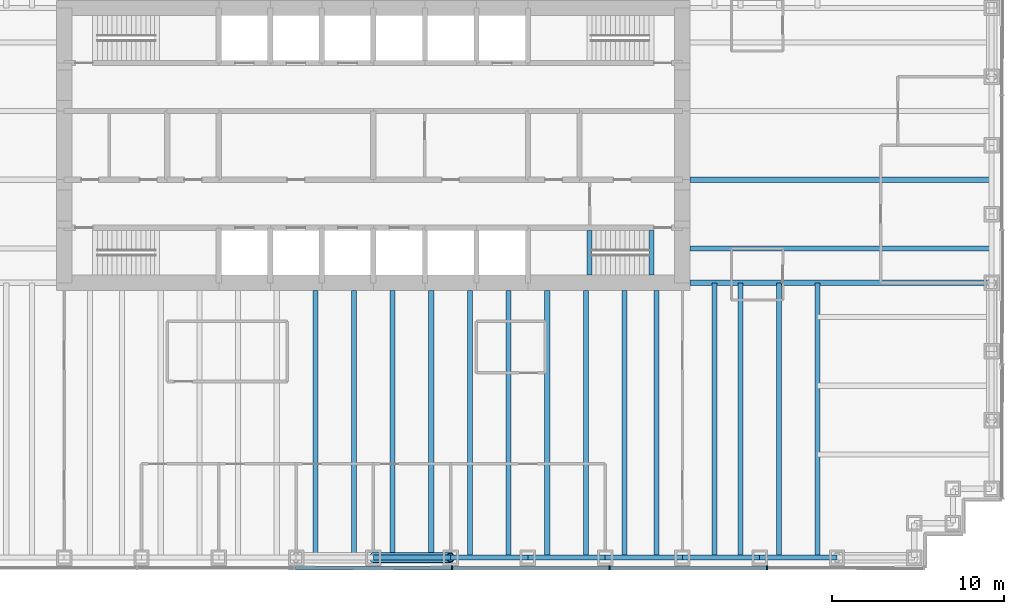
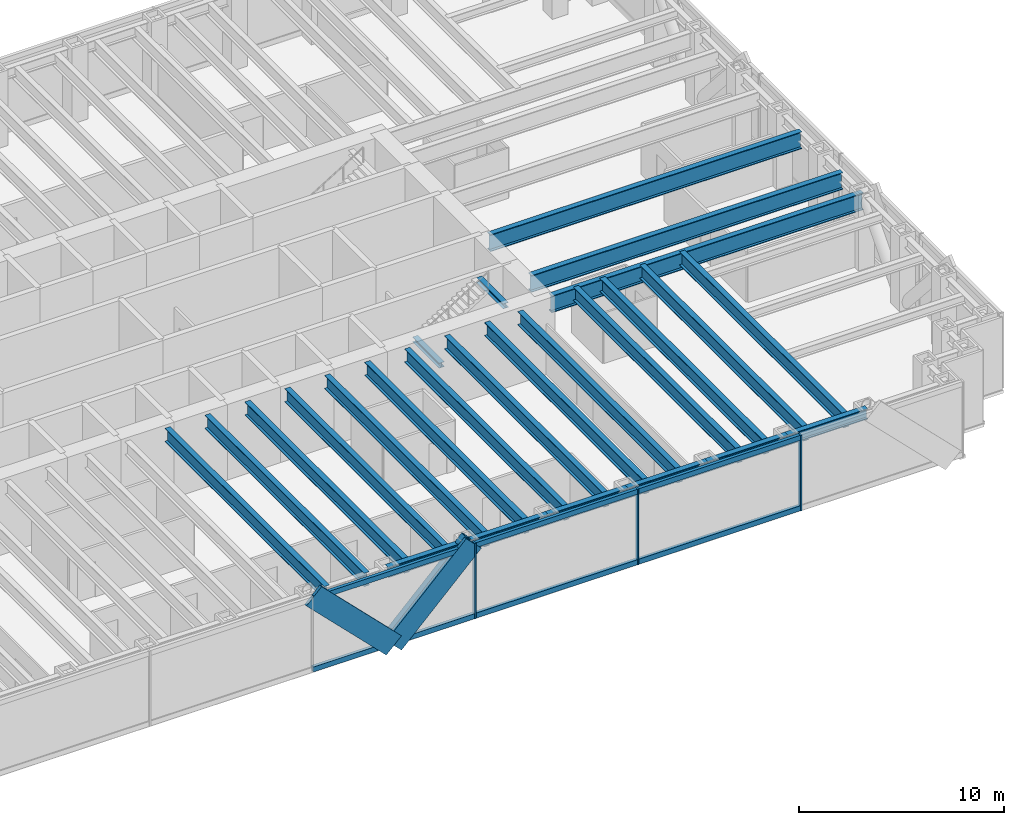
# One storey, part 3 of 13: 25 beams, 12 members, 1 element without a shape of its own.
"""IFC4 building model written with IfcOpenShell, lengths in metres."""

from ifc_helpers import new_model, si_unit, direction, frame, origin, origin_2d, place, context, subcontext, project, spatial, rectangle, hollow_circle, i_section, extrude, material, material_profile, profile_set, type_object, element, aggregate, save


model = new_model("IFC4")

# Units and contexts
model_context = context("Model", 3, precision=1e-05, world=origin(), true_north=direction((0.0, 1.0)))
body_context = subcontext(model_context, "Body", "Model", "MODEL_VIEW")
ifc_project = project(units=[si_unit("LENGTHUNIT", "METRE"), si_unit("AREAUNIT", "SQUARE_METRE"), si_unit("VOLUMEUNIT", "CUBIC_METRE"), si_unit("PLANEANGLEUNIT", "RADIAN"), si_unit("MASSUNIT", "GRAM", prefix="KILO")], contexts=[model_context])

# Site, building, storey
site_placement = place(None, origin())
site = spatial("IfcSite", under=ifc_project, at=site_placement, CompositionType="ELEMENT")
building_placement = place(site_placement, origin())
building = spatial("IfcBuilding", under=site, at=building_placement, Name="Rheinbord Bourse Tower", CompositionType="ELEMENT")
storey_placement = place(building_placement, frame((0.0, 0.0, 32.0)))
storey = spatial("IfcBuildingStorey", under=building, at=storey_placement, Name="L06", CompositionType="ELEMENT", Elevation=32.0)

# Curtain wall, members
ifc_material_1 = material(Name="Dark glass and black aluminium", Category="aluminium")
curtain_wall_type = type_object("IfcCurtainWallType", Name="CW1 DARK GLASS CURTAIN WALL", PredefinedType="USERDEFINED", material=ifc_material_1)
curtain_wall_placement = place(storey_placement, origin())
curtain_wall = element("IfcCurtainWall", 1, at=curtain_wall_placement, inside=storey, type_object=curtain_wall_type, Name="Curtain wall CW1 S L06", ObjectType="UNITISED CURTAIN WALL", PredefinedType="USERDEFINED")
ifc_material_2 = material(Name="Black anodised aluminium", Category="aluminium")
ifc_material_profile_1 = material_profile(ifc_material_2, rectangle(XDim=0.179931640625, YDim=1.2099609375, at=origin_2d()), Name="CW1 DIAGONAL MULLION 1210x180")
ifc_profile_set_1 = profile_set([ifc_material_profile_1], Name="Black anodised aluminium")
member_type_1 = type_object("IfcMemberType", Name="CW1 BLACK DIAGONAL MULLION", PredefinedType="USERDEFINED", material=ifc_profile_set_1)
member_1_placement = place(storey_placement, frame((36.0, -0.60009765625, 0.0), z_axis=(0.707106781187, 0.0, 0.707106781187), x_axis=(0.0, 1.0, 0.0)))
member_1 = element("IfcMember", 2, at=member_1_placement, type_object=member_type_1, Name="CW1 diagonal mullion a", ObjectType="DIAGONAL MULLION", PredefinedType="USERDEFINED", context=body_context, shape_type="SweptSolid", body=[
    extrude(rectangle(XDim=0.179931640625, YDim=1.2099609375, at=origin_2d()), origin(), (0.0, 0.0, 1.0), 6.364013671875),
])
member_2_placement = place(storey_placement, frame((36.0, -0.60009765625, 0.0), z_axis=(-0.707106781187, 0.0, 0.707106781187), x_axis=(0.0, -1.0, 0.0)))
member_2 = element("IfcMember", 3, at=member_2_placement, type_object=member_type_1, Name="CW1 diagonal mullion b", ObjectType="DIAGONAL MULLION", PredefinedType="USERDEFINED", context=body_context, shape_type="SweptSolid", body=[
    extrude(rectangle(XDim=0.179931640625, YDim=1.2099609375, at=origin_2d()), origin(), (0.0, 0.0, 1.0), 6.364013671875),
])
ifc_material_3 = material(Name="Black anodised aluminium", Category="aluminium")
ifc_material_profile_2 = material_profile(ifc_material_3, rectangle(XDim=0.25, YDim=0.080078125, at=origin_2d()), Name="CW1 MULLION 80x250")
ifc_profile_set_2 = profile_set([ifc_material_profile_2], Name="Black anodised aluminium")
member_type_2 = type_object("IfcMemberType", Name="CW1 BLACK MULLION", PredefinedType="MULLION", material=ifc_profile_set_2)
member_3_placement = place(storey_placement, frame((40.585693359375, -0.60009765625, 0.0), z_axis=(0.0, 0.0, 1.0), x_axis=(0.0, 1.0, 0.0)))
member_3 = element("IfcMember", 4, at=member_3_placement, type_object=member_type_2, Name="CW1 mullion 5", PredefinedType="MULLION", context=body_context, shape_type="SweptSolid", body=[
    extrude(rectangle(XDim=0.25, YDim=0.080078125, at=origin_2d()), origin(), (0.0, 0.0, 1.0), 4.5),
])
member_4_placement = place(storey_placement, frame((49.757080078125, -0.60009765625, 0.0), z_axis=(0.0, 0.0, 1.0), x_axis=(0.0, 1.0, 0.0)))
member_4 = element("IfcMember", 5, at=member_4_placement, type_object=member_type_2, Name="CW1 mullion 6", PredefinedType="MULLION", context=body_context, shape_type="SweptSolid", body=[
    extrude(rectangle(XDim=0.25, YDim=0.080078125, at=origin_2d()), origin(), (0.0, 0.0, 1.0), 4.5),
])
member_5_placement = place(storey_placement, frame((58.928466796875, -0.60009765625, 0.0), z_axis=(0.0, 0.0, 1.0), x_axis=(0.0, 1.0, 0.0)))
member_5 = element("IfcMember", 6, at=member_5_placement, type_object=member_type_2, Name="CW1 mullion 7", PredefinedType="MULLION", context=body_context, shape_type="SweptSolid", body=[
    extrude(rectangle(XDim=0.25, YDim=0.080078125, at=origin_2d()), origin(), (0.0, 0.0, 1.0), 4.5),
])
ifc_material_4 = material(Name="Black anodised aluminium", Category="aluminium")
ifc_material_profile_3 = material_profile(ifc_material_4, rectangle(XDim=0.179931640625, YDim=0.300048828125, at=origin_2d()), Name="CW1 TRANSOM 300x180")
ifc_profile_set_3 = profile_set([ifc_material_profile_3], Name="Black anodised aluminium")
member_type_3 = type_object("IfcMemberType", Name="CW1 BLACK TRANSOM", PredefinedType="USERDEFINED", material=ifc_profile_set_3)
member_6_placement = place(storey_placement, frame((31.454345703125, -0.60009765625, 0.14990234375), z_axis=(1.0, 0.0, 0.0), x_axis=(0.0, 1.0, 0.0)))
member_6 = element("IfcMember", 7, at=member_6_placement, type_object=member_type_3, Name="CW1 transom 4.1", ObjectType="TRANSOM", PredefinedType="USERDEFINED", context=body_context, shape_type="SweptSolid", body=[
    extrude(rectangle(XDim=0.179931640625, YDim=0.300048828125, at=origin_2d()), origin(), (0.0, 0.0, 1.0), 9.09130859375),
])
member_7_placement = place(storey_placement, frame((31.454345703125, -0.60009765625, 4.35009765625), z_axis=(1.0, 0.0, 0.0), x_axis=(0.0, 1.0, 0.0)))
member_7 = element("IfcMember", 8, at=member_7_placement, type_object=member_type_3, Name="CW1 transom 4.2", ObjectType="TRANSOM", PredefinedType="USERDEFINED", context=body_context, shape_type="SweptSolid", body=[
    extrude(rectangle(XDim=0.179931640625, YDim=0.300048828125, at=origin_2d()), origin(), (0.0, 0.0, 1.0), 9.09130859375),
])
member_8_placement = place(storey_placement, frame((40.625732421875, -0.60009765625, 0.14990234375), z_axis=(1.0, 0.0, 0.0), x_axis=(0.0, 1.0, 0.0)))
member_8 = element("IfcMember", 9, at=member_8_placement, type_object=member_type_3, Name="CW1 transom 5.1", ObjectType="TRANSOM", PredefinedType="USERDEFINED", context=body_context, shape_type="SweptSolid", body=[
    extrude(rectangle(XDim=0.179931640625, YDim=0.300048828125, at=origin_2d()), origin(), (0.0, 0.0, 1.0), 9.09130859375),
])
member_9_placement = place(storey_placement, frame((40.625732421875, -0.60009765625, 4.35009765625), z_axis=(1.0, 0.0, 0.0), x_axis=(0.0, 1.0, 0.0)))
member_9 = element("IfcMember", 10, at=member_9_placement, type_object=member_type_3, Name="CW1 transom 5.2", ObjectType="TRANSOM", PredefinedType="USERDEFINED", context=body_context, shape_type="SweptSolid", body=[
    extrude(rectangle(XDim=0.179931640625, YDim=0.300048828125, at=origin_2d()), origin(), (0.0, 0.0, 1.0), 9.09130859375),
])
member_10_placement = place(storey_placement, frame((49.797119140625, -0.60009765625, 0.14990234375), z_axis=(1.0, 0.0, 0.0), x_axis=(0.0, 1.0, 0.0)))
member_10 = element("IfcMember", 11, at=member_10_placement, type_object=member_type_3, Name="CW1 transom 6.1", ObjectType="TRANSOM", PredefinedType="USERDEFINED", context=body_context, shape_type="SweptSolid", body=[
    extrude(rectangle(XDim=0.179931640625, YDim=0.300048828125, at=origin_2d()), origin(), (0.0, 0.0, 1.0), 9.091552734375),
])
member_11_placement = place(storey_placement, frame((49.797119140625, -0.60009765625, 4.35009765625), z_axis=(1.0, 0.0, 0.0), x_axis=(0.0, 1.0, 0.0)))
member_11 = element("IfcMember", 12, at=member_11_placement, type_object=member_type_3, Name="CW1 transom 6.2", ObjectType="TRANSOM", PredefinedType="USERDEFINED", context=body_context, shape_type="SweptSolid", body=[
    extrude(rectangle(XDim=0.179931640625, YDim=0.300048828125, at=origin_2d()), origin(), (0.0, 0.0, 1.0), 9.091552734375),
])
aggregate(curtain_wall, [member_3, member_4, member_5, member_6, member_7, member_8, member_9, member_10, member_11, member_1, member_2])

# Beams
ifc_material_5 = material(Name="Steel S460", Category="steel")
ifc_material_profile_4 = material_profile(ifc_material_5, i_section(OverallWidth=0.302001953125, OverallDepth=1.008056640625, WebThickness=0.02099609375, FlangeThickness=0.0400390625, at=origin_2d()), Name="HEM 1000")
ifc_profile_set_4 = profile_set([ifc_material_profile_4], Name="Steel S460")
beam_type_1 = type_object("IfcBeamType", Name="END BEAM HEM 1000", PredefinedType="BEAM", material=ifc_profile_set_4)
for number, where, z_axis, x_axis, name in (
    (13, (54.449951171875, 18.0, 3.81591796875), (1.0, 0.0, 0.0), (0.0, 1.0, 0.0), "End beam east 18 L07"),
    (14, (54.449951171875, 22.0, 3.81591796875), (1.0, 0.0, 0.0), (0.0, 1.0, 0.0), "End beam east 22 L07"),
):
    element("IfcBeam", number, at=place(storey_placement, frame(where, z_axis=z_axis, x_axis=x_axis)), inside=storey, type_object=beam_type_1, Name=name, PredefinedType="BEAM", context=body_context, shape_type="SweptSolid", body=[
        extrude(i_section(OverallWidth=0.302001953125, OverallDepth=1.008056640625, WebThickness=0.02099609375, FlangeThickness=0.0400390625, at=origin_2d()), origin(), (0.0, 0.0, 1.0), 17.550048828125),
    ])
ifc_material_6 = material(Name="Steel S460", Category="steel")
ifc_material_profile_5 = material_profile(ifc_material_6, i_section(OverallWidth=0.300048828125, OverallDepth=0.800048828125, WebThickness=0.017578125, FlangeThickness=0.032958984375, at=origin_2d()), Name="HEB 800")
ifc_profile_set_5 = profile_set([ifc_material_profile_5], Name="Steel S460")
beam_type_2 = type_object("IfcBeamType", Name="FLOOR BEAM HEB 800", PredefinedType="BEAM", material=ifc_profile_set_5)
for number, where, z_axis, x_axis, name in (
    (15, (32.625, 0.0, 3.919921875), (0.0, 1.0, 0.0), (-1.0, 0.0, 0.0), "Floor beam S-31.5a L07"),
    (16, (34.875, 0.0, 3.919921875), (0.0, 1.0, 0.0), (-1.0, 0.0, 0.0), "Floor beam S-31.5b L07"),
    (17, (37.125, 0.0, 3.919921875), (0.0, 1.0, 0.0), (-1.0, 0.0, 0.0), "Floor beam S-36a L07"),
    (18, (39.375, 0.0, 3.919921875), (0.0, 1.0, 0.0), (-1.0, 0.0, 0.0), "Floor beam S-36b L07"),
    (19, (41.625, 0.0, 3.919921875), (0.0, 1.0, 0.0), (-1.0, 0.0, 0.0), "Floor beam S-40.5a L07"),
    (20, (43.875, 0.0, 3.919921875), (0.0, 1.0, 0.0), (-1.0, 0.0, 0.0), "Floor beam S-40.5b L07"),
    (21, (46.125, 0.0, 3.919921875), (0.0, 1.0, 0.0), (-1.0, 0.0, 0.0), "Floor beam S-45a L07"),
    (22, (48.375, 0.0, 3.919921875), (0.0, 1.0, 0.0), (-1.0, 0.0, 0.0), "Floor beam S-45b L07"),
    (23, (50.625, 0.0, 3.919921875), (0.0, 1.0, 0.0), (-1.0, 0.0, 0.0), "Floor beam S-49.5a L07"),
    (24, (52.5, 0.0, 3.919921875), (0.0, 1.0, 0.0), (-1.0, 0.0, 0.0), "Floor beam S-49.5b L07"),
):
    element("IfcBeam", number, at=place(storey_placement, frame(where, z_axis=z_axis, x_axis=x_axis)), inside=storey, type_object=beam_type_2, Name=name, PredefinedType="BEAM", context=body_context, shape_type="SweptSolid", body=[
        extrude(i_section(OverallWidth=0.300048828125, OverallDepth=0.800048828125, WebThickness=0.017578125, FlangeThickness=0.032958984375, at=origin_2d()), origin(), (0.0, 0.0, 1.0), 15.550048828125),
    ])
for number, where, z_axis, x_axis, name in (
    (25, (55.875, 0.0, 3.919921875), (0.0, 1.0, 0.0), (-1.0, 0.0, 0.0), "Floor beam S-54a L07"),
    (26, (57.375, 0.0, 3.919921875), (0.0, 1.0, 0.0), (-1.0, 0.0, 0.0), "Floor beam S-54b L07"),
    (27, (59.625, 0.0, 3.919921875), (0.0, 1.0, 0.0), (-1.0, 0.0, 0.0), "Floor beam S-58.5a L07"),
    (28, (61.875, 0.0, 3.919921875), (0.0, 1.0, 0.0), (-1.0, 0.0, 0.0), "Floor beam S-58.5b L07"),
):
    element("IfcBeam", number, at=place(storey_placement, frame(where, z_axis=z_axis, x_axis=x_axis)), inside=storey, type_object=beam_type_2, Name=name, PredefinedType="BEAM", context=body_context, shape_type="SweptSolid", body=[
        extrude(i_section(OverallWidth=0.300048828125, OverallDepth=0.800048828125, WebThickness=0.017578125, FlangeThickness=0.032958984375, at=origin_2d()), origin(), (0.0, 0.0, 1.0), 16.0),
    ])
ifc_material_7 = material(Name="Steel S460", Category="steel")
ifc_material_profile_6 = material_profile(ifc_material_7, i_section(OverallWidth=0.302001953125, OverallDepth=1.008056640625, WebThickness=0.02099609375, FlangeThickness=0.0400390625, at=origin_2d()), Name="HEM 1000")
ifc_profile_set_6 = profile_set([ifc_material_profile_6], Name="Steel S460")
beam_type_3 = type_object("IfcBeamType", Name="GIRDER HEM 1000", PredefinedType="BEAM", material=ifc_profile_set_6)
beam_placement = place(storey_placement, frame((54.449951171875, 16.0, 3.81591796875), z_axis=(1.0, 0.0, 0.0), x_axis=(0.0, 1.0, 0.0)))
element("IfcBeam", 29, at=beam_placement, inside=storey, type_object=beam_type_3, Name="Girder east 16 L07", PredefinedType="BEAM", context=body_context, shape_type="SweptSolid", body=[
    extrude(i_section(OverallWidth=0.302001953125, OverallDepth=1.008056640625, WebThickness=0.02099609375, FlangeThickness=0.0400390625, at=origin_2d()), origin(), (0.0, 0.0, 1.0), 17.550048828125),
])
ifc_material_8 = material(Name="Steel S460", Category="steel")
ifc_material_profile_7 = material_profile(ifc_material_8, i_section(OverallWidth=0.300048828125, OverallDepth=0.300048828125, WebThickness=0.010986328125, FlangeThickness=0.01904296875, at=origin_2d()), Name="HEB 300")
ifc_profile_set_7 = profile_set([ifc_material_profile_7], Name="Steel S460")
beam_type_4 = type_object("IfcBeamType", Name="LANDING TRIMMER HEB 300", PredefinedType="BEAM", material=ifc_profile_set_7)
for number, where, z_axis, x_axis, name in (
    (30, (48.590087890625, 16.449951171875, 1.89990234375), (0.0, 1.0, 0.0), (-1.0, 0.0, 0.0), "Landing trimmer ST3 L06"),
    (31, (52.199951171875, 16.449951171875, 4.169921875), (0.0, 1.0, 0.0), (-1.0, 0.0, 0.0), "Well trimmer ST3 under L07"),
):
    element("IfcBeam", number, at=place(storey_placement, frame(where, z_axis=z_axis, x_axis=x_axis)), inside=storey, type_object=beam_type_4, Name=name, PredefinedType="BEAM", context=body_context, shape_type="SweptSolid", body=[
        extrude(i_section(OverallWidth=0.300048828125, OverallDepth=0.300048828125, WebThickness=0.010986328125, FlangeThickness=0.01904296875, at=origin_2d()), origin(), (0.0, 0.0, 1.0), 2.60009765625),
    ])

# Member
ifc_material_9 = material(Name="Steel S460", Category="steel")
ifc_material_profile_8 = material_profile(ifc_material_9, hollow_circle(Radius=0.304931640625, WallThickness=0.050048828125, at=origin_2d()), Name="CHS 610x50")
ifc_profile_set_8 = profile_set([ifc_material_profile_8], Name="Steel S460")
member_type_4 = type_object("IfcMemberType", Name="MEGABRACE CHS 610x50", PredefinedType="BRACE", material=ifc_profile_set_8)
member_12_placement = place(storey_placement, frame((36.0, 0.0, 0.0), z_axis=(0.707106781187, 0.0, 0.707106781187), x_axis=(0.0, 1.0, 0.0)))
element("IfcMember", 32, at=member_12_placement, inside=storey, type_object=member_type_4, Name="Megabrace S face line a L06", PredefinedType="BRACE", context=body_context, shape_type="SweptSolid", body=[
    extrude(hollow_circle(Radius=0.304931640625, WallThickness=0.050048828125, at=origin_2d()), origin(), (0.0, 0.0, 1.0), 6.364013671875),
])

# Beams
ifc_material_10 = material(Name="Steel S460", Category="steel")
ifc_material_profile_9 = material_profile(ifc_material_10, i_section(OverallWidth=0.304931640625, OverallDepth=0.6201171875, WebThickness=0.02099609375, FlangeThickness=0.0400390625, at=origin_2d()), Name="HEM 600")
ifc_profile_set_9 = profile_set([ifc_material_profile_9], Name="Steel S460")
beam_type_5 = type_object("IfcBeamType", Name="SPANDREL HEM 600", PredefinedType="SPANDREL", material=ifc_profile_set_9)
for number, where, z_axis, x_axis, name in (
    (33, (36.0, 0.0, 4.010009765625), (1.0, 0.0, 0.0), (0.0, 1.0, 0.0), "Spandrel S-36-S-40.5 under L07"),
    (34, (40.5, 0.0, 4.010009765625), (1.0, 0.0, 0.0), (0.0, 1.0, 0.0), "Spandrel S-40.5-S-45 under L07"),
    (35, (45.0, 0.0, 4.010009765625), (1.0, 0.0, 0.0), (0.0, 1.0, 0.0), "Spandrel S-45-S-49.5 under L07"),
    (36, (49.5, 0.0, 4.010009765625), (1.0, 0.0, 0.0), (0.0, 1.0, 0.0), "Spandrel S-49.5-S-54 under L07"),
    (37, (54.0, 0.0, 4.010009765625), (1.0, 0.0, 0.0), (0.0, 1.0, 0.0), "Spandrel S-54-S-58.5 under L07"),
    (38, (58.5, 0.0, 4.010009765625), (1.0, 0.0, 0.0), (0.0, 1.0, 0.0), "Spandrel S-58.5-S-63 under L07"),
):
    element("IfcBeam", number, at=place(storey_placement, frame(where, z_axis=z_axis, x_axis=x_axis)), inside=storey, type_object=beam_type_5, Name=name, PredefinedType="SPANDREL", context=body_context, shape_type="SweptSolid", body=[
        extrude(i_section(OverallWidth=0.304931640625, OverallDepth=0.6201171875, WebThickness=0.02099609375, FlangeThickness=0.0400390625, at=origin_2d()), origin(), (0.0, 0.0, 1.0), 4.5),
    ])

save(model, "model.ifc")
